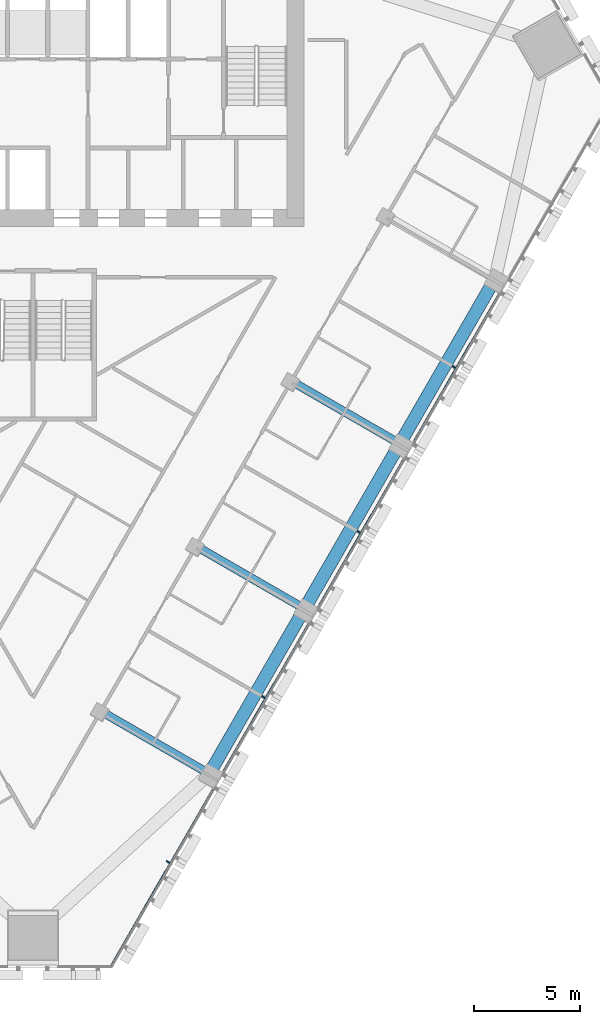
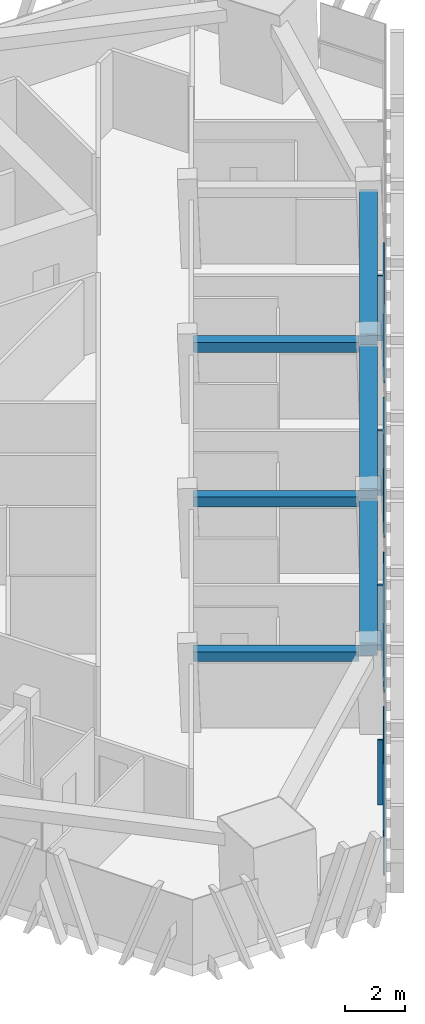
# One storey, part 4 of 16: 8 members, 6 beams, 1 element without a shape of its own.
"""IFC4 building model written with IfcOpenShell, lengths in metres."""

from ifc_helpers import new_model, si_unit, direction, frame, origin, origin_2d, place, context, subcontext, project, spatial, rectangle, extrude, material, layer, layer_set, material_profile, profile_set, type_object, element, aggregate, save


model = new_model("IFC4")

# Units and contexts
model_context = context("Model", 3, precision=1e-05, world=origin(), true_north=direction((0.0, 1.0)))
body_context = subcontext(model_context, "Body", "Model", "MODEL_VIEW")
ifc_project = project(units=[si_unit("LENGTHUNIT", "METRE"), si_unit("AREAUNIT", "SQUARE_METRE"), si_unit("VOLUMEUNIT", "CUBIC_METRE"), si_unit("PLANEANGLEUNIT", "RADIAN"), si_unit("MASSUNIT", "GRAM", prefix="KILO")], contexts=[model_context])

# Site, building, storey
site_placement = place(None, origin())
site = spatial("IfcSite", under=ifc_project, at=site_placement, CompositionType="ELEMENT")
building_placement = place(site_placement, origin())
building = spatial("IfcBuilding", under=site, at=building_placement, Name="Altiplano Prism Tower", CompositionType="ELEMENT")
storey_placement = place(building_placement, frame((0.0, 0.0, 145.800048828125)))
storey = spatial("IfcBuildingStorey", under=building, at=storey_placement, Name="L37", CompositionType="ELEMENT", Elevation=145.800048828125)

# Curtain wall, members
ifc_material_1 = material(Name="Aluminium and glass", Category="aluminium")
ifc_layer = layer(ifc_material_1, 0.280029296875)
ifc_layer_set = layer_set([ifc_layer], Name="Aluminium and glass")
curtain_wall_type = type_object("IfcCurtainWallType", Name="CW1 typical co-living unitised curtain wall", PredefinedType="NOTDEFINED", material=ifc_layer_set)
curtain_wall_placement = place(storey_placement, origin())
curtain_wall = element("IfcCurtainWall", 1, at=curtain_wall_placement, inside=storey, type_object=curtain_wall_type, Name="CW1 curtain wall south-east face L37", PredefinedType="NOTDEFINED")
ifc_material_2 = material(Name="Aluminium", Category="aluminium")
ifc_material_profile_1 = material_profile(ifc_material_2, rectangle(XDim=0.179931640625, YDim=0.06494140625, at=origin_2d()), Name="CW1 mullion 65 x 180")
ifc_profile_set_1 = profile_set([ifc_material_profile_1], Name="Aluminium")
member_type_1 = type_object("IfcMemberType", Name="CW1 mullion 65 x 180", PredefinedType="MULLION", material=ifc_profile_set_1)
member_1_placement = place(storey_placement, frame((91.38232421875, 62.57861328125, 0.0), z_axis=(0.0, 0.0, 1.0), x_axis=(-0.866025402249, 0.50000000266, 0.0)))
member_1 = element("IfcMember", 2, at=member_1_placement, type_object=member_type_1, Name="CW1 mullion", PredefinedType="MULLION", context=body_context, shape_type="SweptSolid", body=[
    extrude(rectangle(XDim=0.179931640625, YDim=0.06494140625, at=origin_2d()), origin(), (0.0, 0.0, 1.0), 2.64990234375),
])
member_2_placement = place(storey_placement, frame((95.88232421875, 70.372802734375, 0.0), z_axis=(0.0, 0.0, 1.0), x_axis=(-0.866025402249, 0.50000000266, 0.0)))
member_2 = element("IfcMember", 3, at=member_2_placement, type_object=member_type_1, Name="CW1 mullion", PredefinedType="MULLION", context=body_context, shape_type="SweptSolid", body=[
    extrude(rectangle(XDim=0.179931640625, YDim=0.06494140625, at=origin_2d()), origin(), (0.0, 0.0, 1.0), 2.64990234375),
])
member_3_placement = place(storey_placement, frame((100.38232421875, 78.1669921875, 0.0), z_axis=(0.0, 0.0, 1.0), x_axis=(-0.866025402249, 0.50000000266, 0.0)))
member_3 = element("IfcMember", 4, at=member_3_placement, type_object=member_type_1, Name="CW1 mullion", PredefinedType="MULLION", context=body_context, shape_type="SweptSolid", body=[
    extrude(rectangle(XDim=0.179931640625, YDim=0.06494140625, at=origin_2d()), origin(), (0.0, 0.0, 1.0), 2.64990234375),
])
member_4_placement = place(storey_placement, frame((104.88232421875, 85.961181640625, 0.0), z_axis=(0.0, 0.0, 1.0), x_axis=(-0.866025402249, 0.50000000266, 0.0)))
member_4 = element("IfcMember", 5, at=member_4_placement, type_object=member_type_1, Name="CW1 mullion", PredefinedType="MULLION", context=body_context, shape_type="SweptSolid", body=[
    extrude(rectangle(XDim=0.179931640625, YDim=0.06494140625, at=origin_2d()), origin(), (0.0, 0.0, 1.0), 2.64990234375),
])
ifc_material_profile_2 = material_profile(ifc_material_2, rectangle(XDim=0.06005859375, YDim=0.080078125, at=origin_2d()), Name="CW1 transom 80 x 60")
ifc_profile_set_2 = profile_set([ifc_material_profile_2], Name="Aluminium")
member_type_2 = type_object("IfcMemberType", Name="CW1 transom 80 x 60", PredefinedType="USERDEFINED", material=ifc_profile_set_2)
member_5_placement = place(storey_placement, frame((88.66943359375, 57.6396484375, 1.099853515625), z_axis=(0.499996016145, 0.866027703852, 0.0), x_axis=(-0.866027703852, 0.499996016145, 0.0)))
member_5 = element("IfcMember", 6, at=member_5_placement, type_object=member_type_2, Name="CW1 transom", ObjectType="TRANSOM", PredefinedType="USERDEFINED", context=body_context, shape_type="SweptSolid", body=[
    extrude(rectangle(XDim=0.06005859375, YDim=0.080078125, at=origin_2d()), origin(), (0.0, 0.0, 1.0), 9.7080078125),
])
member_6_placement = place(storey_placement, frame((93.988525390625, 66.8525390625, 1.099853515625), z_axis=(0.499994808408, 0.866028401131, 0.0), x_axis=(-0.866028401131, 0.499994808408, 0.0)))
member_6 = element("IfcMember", 7, at=member_6_placement, type_object=member_type_2, Name="CW1 transom", ObjectType="TRANSOM", PredefinedType="USERDEFINED", context=body_context, shape_type="SweptSolid", body=[
    extrude(rectangle(XDim=0.06005859375, YDim=0.080078125, at=origin_2d()), origin(), (0.0, 0.0, 1.0), 8.06982421875),
])
member_7_placement = place(storey_placement, frame((98.488525390625, 74.646728515625, 1.099853515625), z_axis=(0.499994808408, 0.866028401131, 0.0), x_axis=(-0.866028401131, 0.499994808408, 0.0)))
member_7 = element("IfcMember", 8, at=member_7_placement, type_object=member_type_2, Name="CW1 transom", ObjectType="TRANSOM", PredefinedType="USERDEFINED", context=body_context, shape_type="SweptSolid", body=[
    extrude(rectangle(XDim=0.06005859375, YDim=0.080078125, at=origin_2d()), origin(), (0.0, 0.0, 1.0), 8.06982421875),
])
member_8_placement = place(storey_placement, frame((102.988525390625, 82.441162109375, 1.099853515625), z_axis=(0.500007908628, 0.866020837688, 0.0), x_axis=(-0.866020837688, 0.500007908628, 0.0)))
member_8 = element("IfcMember", 9, at=member_8_placement, type_object=member_type_2, Name="CW1 transom", ObjectType="TRANSOM", PredefinedType="USERDEFINED", context=body_context, shape_type="SweptSolid", body=[
    extrude(rectangle(XDim=0.06005859375, YDim=0.080078125, at=origin_2d()), origin(), (0.0, 0.0, 1.0), 8.069580078125),
])
aggregate(curtain_wall, [member_1, member_5, member_2, member_6, member_3, member_7, member_4, member_8])

# Beams
ifc_material_3 = material(Name="Concrete C60/75", Category="concrete")
ifc_material_profile_3 = material_profile(ifc_material_3, rectangle(XDim=0.60009765625, YDim=0.5, at=origin_2d()), Name="Edge beam 600x500")
ifc_profile_set_3 = profile_set([ifc_material_profile_3], Name="Concrete C60/75")
beam_type_1 = type_object("IfcBeamType", Name="Edge beam 600x500", PredefinedType="SPANDREL", material=ifc_profile_set_3)
for number, where, z_axis, x_axis, name in (
    (10, (93.479736328125, 67.00830078125, 2.89990234375), (0.499976021395, 0.866039247396, 0.0), (-0.866039247396, 0.499976021395, 0.0), "Edge beam P21-P22 L38"),
    (11, (97.979736328125, 74.802490234375, 2.89990234375), (0.499976021395, 0.866039247396, 0.0), (-0.866039247396, 0.499976021395, 0.0), "Edge beam P22-P23 L38"),
):
    element("IfcBeam", number, at=place(storey_placement, frame(where, z_axis=z_axis, x_axis=x_axis)), inside=storey, type_object=beam_type_1, Name=name, PredefinedType="SPANDREL", context=body_context, shape_type="SweptSolid", body=[
        extrude(rectangle(XDim=0.60009765625, YDim=0.5, at=origin_2d()), origin(), (0.0, 0.0, 1.0), 8.39013671875),
    ])
beam_placement = place(storey_placement, frame((102.479736328125, 82.596923828125, 2.89990234375), z_axis=(0.499988621418, 0.866031973112, 0.0), x_axis=(-0.866031973112, 0.499988621418, 0.0)))
element("IfcBeam", 12, at=beam_placement, inside=storey, type_object=beam_type_1, Name="Edge beam P23-P24 L38", PredefinedType="SPANDREL", context=body_context, shape_type="SweptSolid", body=[
    extrude(rectangle(XDim=0.60009765625, YDim=0.5, at=origin_2d()), origin(), (0.0, 0.0, 1.0), 8.389892578125),
])
ifc_material_profile_4 = material_profile(ifc_material_3, rectangle(XDim=0.39990234375, YDim=0.39990234375, at=origin_2d()), Name="Tie beam 400x400")
ifc_profile_set_4 = profile_set([ifc_material_profile_4], Name="Concrete C60/75")
beam_type_2 = type_object("IfcBeamType", Name="Tie beam 400x400", PredefinedType="BEAM", material=ifc_profile_set_4)
for number, where, z_axis, x_axis, name in (
    (13, (88.26513671875, 69.666748046875, 2.949951171875), (0.866027073272, -0.499997108352, 0.0), (0.499997108352, 0.866027073272, 0.0), "Tie beam I21 L38"),
    (14, (92.76513671875, 77.4609375, 2.949951171875), (0.866027073272, -0.499997108352, 0.0), (0.499997108352, 0.866027073272, 0.0), "Tie beam I22 L38"),
    (15, (97.26513671875, 85.255126953125, 2.949951171875), (0.866027073272, -0.499997108352, 0.0), (0.499997108352, 0.866027073272, 0.0), "Tie beam I23 L38"),
):
    element("IfcBeam", number, at=place(storey_placement, frame(where, z_axis=z_axis, x_axis=x_axis)), inside=storey, type_object=beam_type_2, Name=name, PredefinedType="BEAM", context=body_context, shape_type="SweptSolid", body=[
        extrude(rectangle(XDim=0.39990234375, YDim=0.39990234375, at=origin_2d()), origin(), (0.0, 0.0, 1.0), 5.5400390625),
    ])

save(model, "model.ifc")
